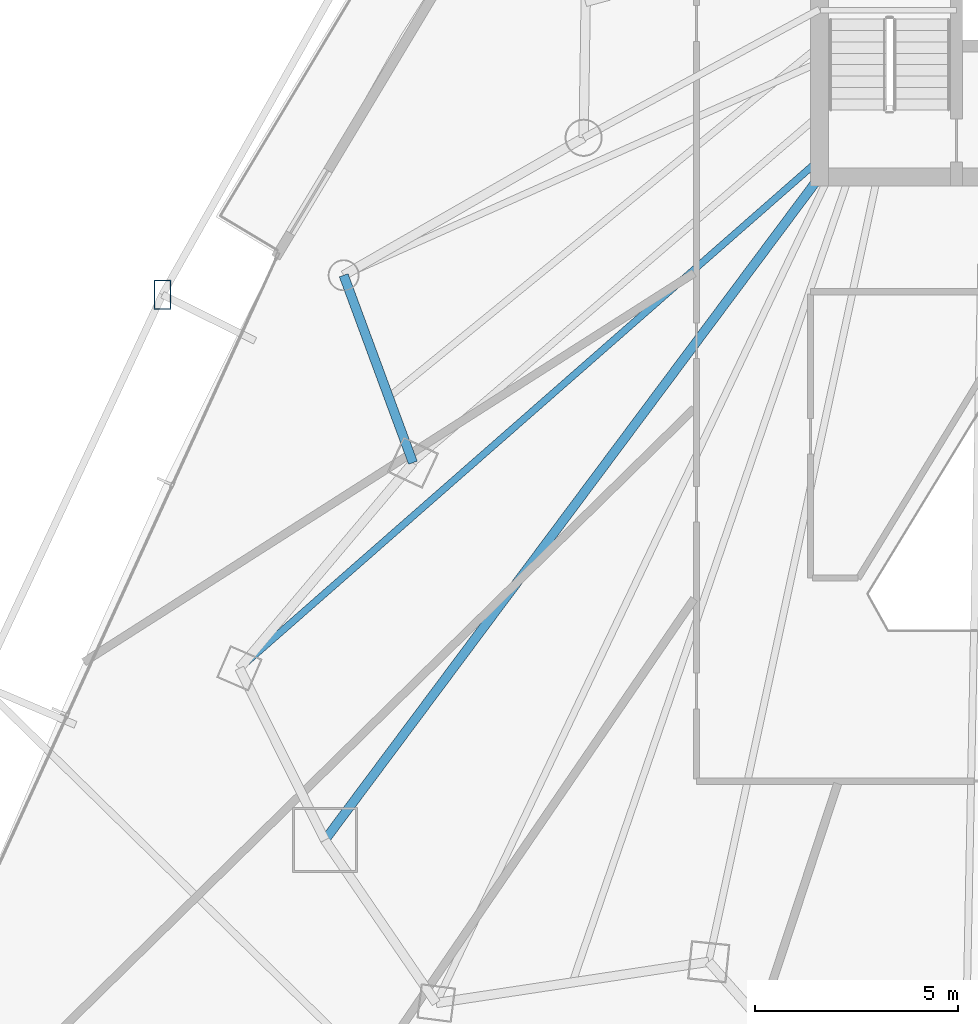
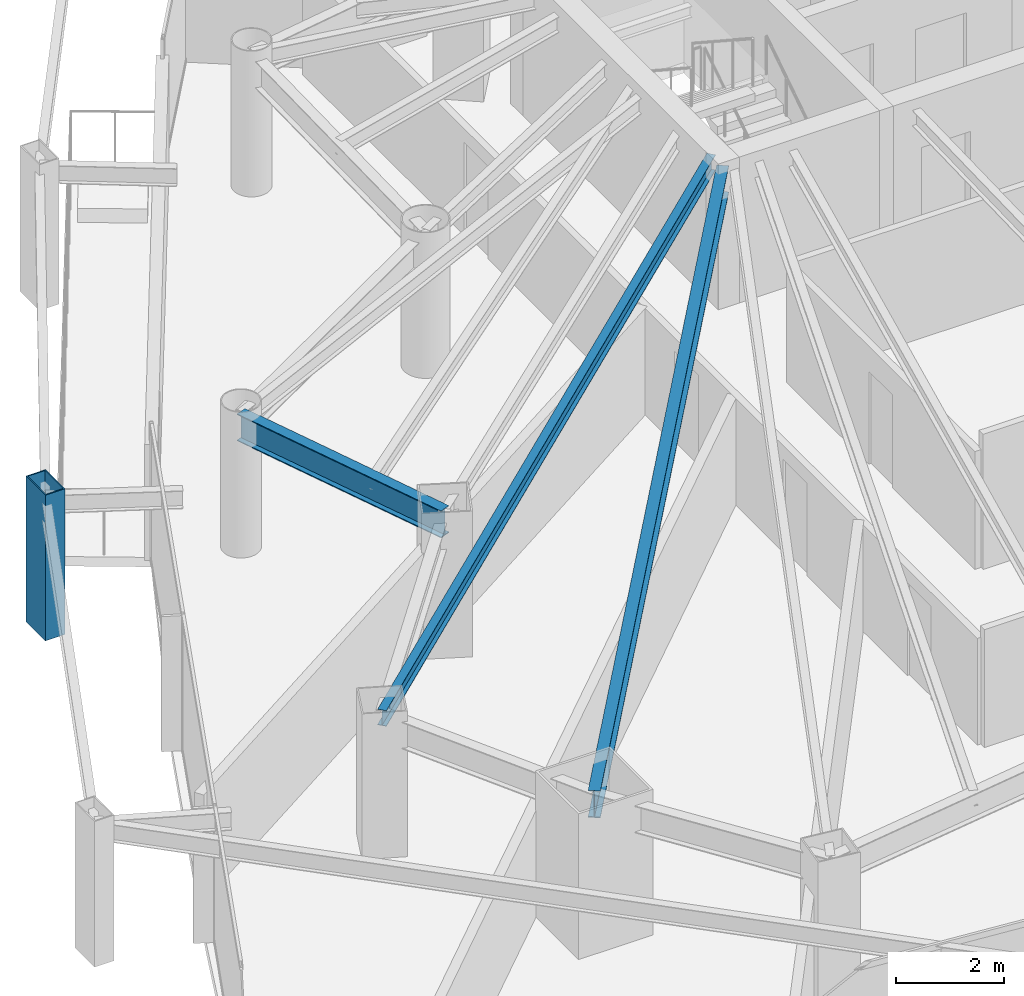
# One storey, part 9 of 34: 3 beams, 1 member.
"""IFC4 building model written with IfcOpenShell, lengths in metres."""

from ifc_helpers import new_model, si_unit, direction, frame, origin, origin_2d, place, context, subcontext, project, spatial, hollow_rectangle, i_section, extrude, material, material_profile, profile_set, type_object, element, save


model = new_model("IFC4")

# Units and contexts
model_context = context("Model", 3, precision=1e-05, world=origin(), true_north=direction((0.0, 1.0)))
body_context = subcontext(model_context, "Body", "Model", "MODEL_VIEW")
ifc_project = project(units=[si_unit("LENGTHUNIT", "METRE"), si_unit("AREAUNIT", "SQUARE_METRE"), si_unit("VOLUMEUNIT", "CUBIC_METRE"), si_unit("PLANEANGLEUNIT", "RADIAN"), si_unit("MASSUNIT", "GRAM", prefix="KILO")], contexts=[model_context])

# Site, building, storey
site_placement = place(None, origin())
site = spatial("IfcSite", under=ifc_project, at=site_placement, CompositionType="ELEMENT")
building_placement = place(site_placement, origin())
building = spatial("IfcBuilding", under=site, at=building_placement, Name="Orvanel Arch Residences", CompositionType="ELEMENT")
storey_placement = place(building_placement, frame((0.0, 0.0, 64.25)))
storey = spatial("IfcBuildingStorey", under=building, at=storey_placement, Name="L17", CompositionType="ELEMENT", Elevation=64.25)

# Beams
ifc_material_1 = material(Name="Structural steel AS/NZS 3679.1 Grade 300 (300 MPa)", Category="steel")
ifc_material_profile_1 = material_profile(ifc_material_1, i_section(OverallWidth=0.22900390625, OverallDepth=0.612060546875, WebThickness=0.011962890625, FlangeThickness=0.01953125, at=origin_2d()), Name="610UB125")
ifc_profile_set_1 = profile_set([ifc_material_profile_1], Name="Structural steel AS/NZS 3679.1 Grade 300 (300 MPa)")
beam_type_1 = type_object("IfcBeamType", Name="BG-610UB", PredefinedType="BEAM", material=ifc_profile_set_1)
beam_1_placement = place(storey_placement, frame((26.375, 26.675048828125, 2.75390625), z_axis=(-0.597893733742, -0.801575375839, 0.0), x_axis=(0.801575375839, -0.597893733742, 0.0)))
element("IfcBeam", 1, at=beam_1_placement, inside=storey, type_object=beam_type_1, Name="L17 South-West Radial Girder", PredefinedType="BEAM", context=body_context, shape_type="SweptSolid", body=[
    extrude(i_section(OverallWidth=0.22900390625, OverallDepth=0.612060546875, WebThickness=0.011962890625, FlangeThickness=0.01953125, at=origin_2d()), origin(), (0.0, 0.0, 1.0), 20.36474609375),
])
ifc_material_profile_2 = material_profile(ifc_material_1, i_section(OverallWidth=0.1708984375, OverallDepth=0.35595703125, WebThickness=0.00732421875, FlangeThickness=0.011474609375, at=origin_2d()), Name="360UB50.7")
ifc_profile_set_2 = profile_set([ifc_material_profile_2], Name="Structural steel AS/NZS 3679.1 Grade 300 (300 MPa)")
beam_type_2 = type_object("IfcBeamType", Name="BJ-360UB", PredefinedType="JOIST", material=ifc_profile_set_2)
beam_2_placement = place(storey_placement, frame((26.375, 27.10009765625, 2.882080078125), z_axis=(-0.751924114057, -0.659249669472, 0.0), x_axis=(0.659249669472, -0.751924114057, 0.0)))
element("IfcBeam", 2, at=beam_2_placement, inside=storey, type_object=beam_type_2, Name="L17 MW Wing Floor Joist", PredefinedType="JOIST", context=body_context, shape_type="SweptSolid", body=[
    extrude(i_section(OverallWidth=0.1708984375, OverallDepth=0.35595703125, WebThickness=0.00732421875, FlangeThickness=0.011474609375, at=origin_2d()), origin(), (0.0, 0.0, 1.0), 18.9912109375),
])

# Member
ifc_material_2 = material(Name="Structural steel AS/NZS 3678 Grade 350", Category="steel")
ifc_material_profile_3 = material_profile(ifc_material_2, hollow_rectangle(XDim=0.419921875, YDim=0.719970703125, WallThickness=0.02490234375, at=origin_2d()), Name="RHS720x420x25")
ifc_profile_set_3 = profile_set([ifc_material_profile_3], Name="Structural steel AS/NZS 3678 Grade 350")
member_type = type_object("IfcMemberType", Name="CH-720RHS-EXT", PredefinedType="CHORD", material=ifc_profile_set_3)
member_placement = place(storey_placement, frame((10.198974609375, 23.779052734375, 0.0), z_axis=(0.0, 0.0, 1.0), x_axis=(1.0, 0.0, 0.0)))
element("IfcMember", 3, at=member_placement, inside=storey, type_object=member_type, Name="L17 Outer Perimeter Frame Post 03", PredefinedType="CHORD", context=body_context, shape_type="SweptSolid", body=[
    extrude(hollow_rectangle(XDim=0.419921875, YDim=0.719970703125, WallThickness=0.02490234375, at=origin_2d()), origin(), (0.0, 0.0, 1.0), 3.300048828125),
])

# Beam
ifc_material_profile_4 = material_profile(ifc_material_1, i_section(OverallWidth=0.22900390625, OverallDepth=0.612060546875, WebThickness=0.011962890625, FlangeThickness=0.01953125, at=origin_2d()), Name="610UB125")
ifc_profile_set_4 = profile_set([ifc_material_profile_4], Name="Structural steel AS/NZS 3679.1 Grade 300 (300 MPa)")
beam_type_3 = type_object("IfcBeamType", Name="SP-610UB", PredefinedType="SPANDREL", material=ifc_profile_set_4)
beam_3_placement = place(storey_placement, frame((14.662109375, 24.256103515625, 2.75390625), z_axis=(0.346588434017, -0.938017301229, 0.0), x_axis=(0.938017301229, 0.346588434017, 0.0)))
element("IfcBeam", 4, at=beam_3_placement, inside=storey, type_object=beam_type_3, Name="L17 Perimeter Spandrel Beam 22", PredefinedType="SPANDREL", context=body_context, shape_type="SweptSolid", body=[
    extrude(i_section(OverallWidth=0.22900390625, OverallDepth=0.612060546875, WebThickness=0.011962890625, FlangeThickness=0.01953125, at=origin_2d()), origin(), (0.0, 0.0, 1.0), 4.9189453125),
])

save(model, "model.ifc")
